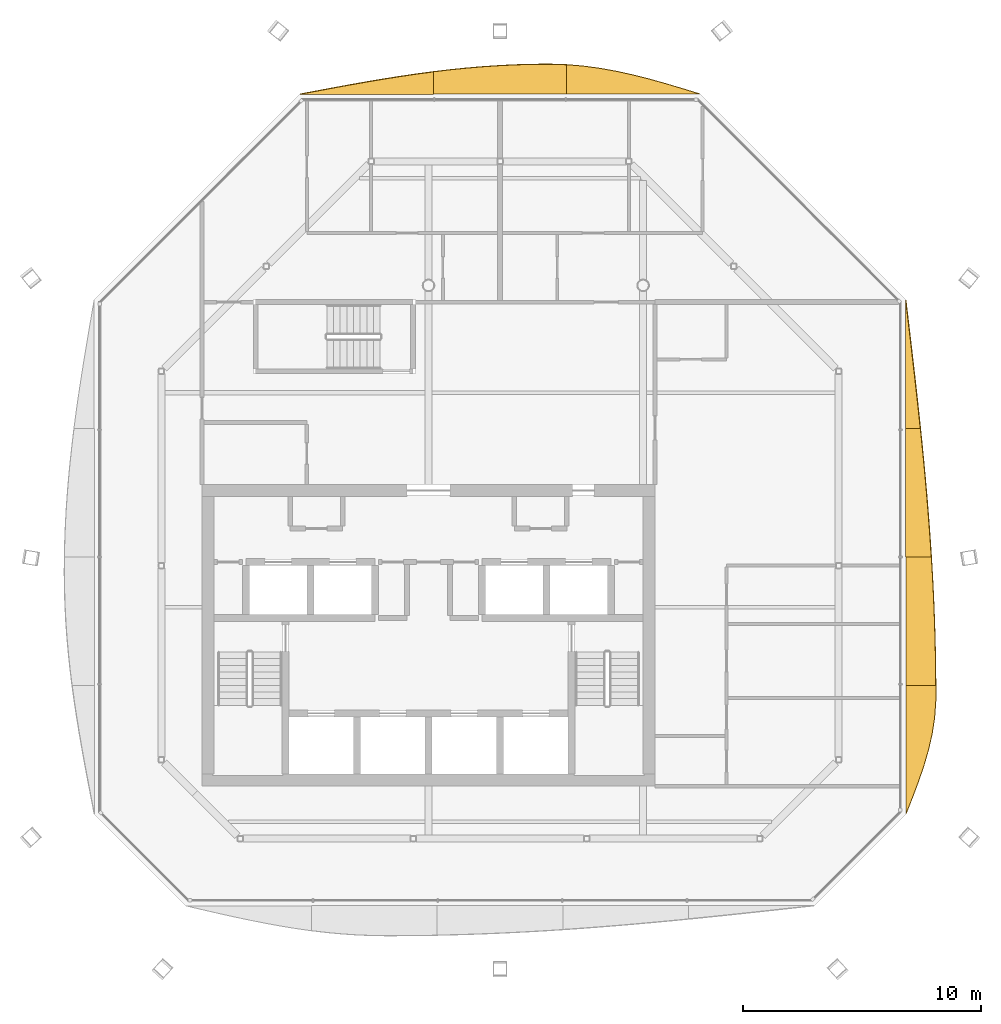
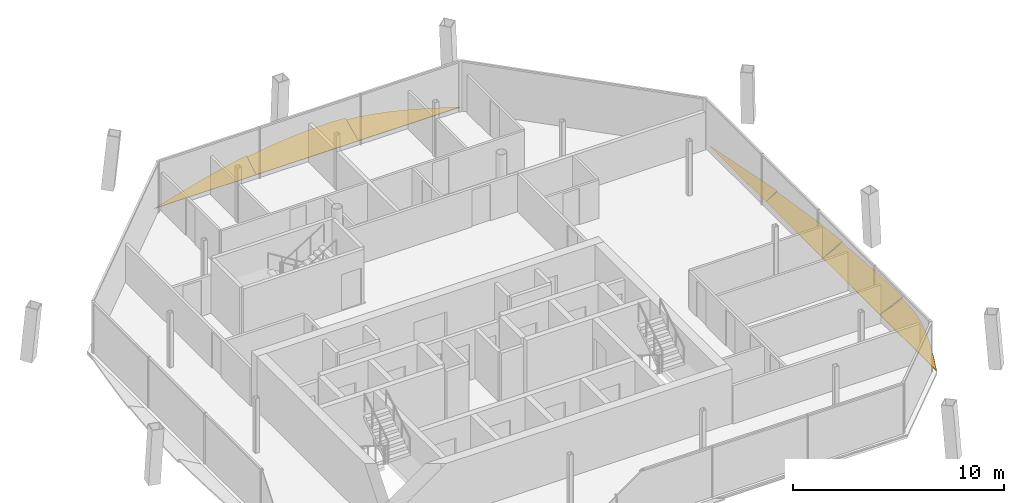
# One storey, part 16 of 16: 7 shading devices.
"""IFC4 building model written with IfcOpenShell, lengths in metres."""

from ifc_helpers import new_model, si_unit, direction, frame, origin, place, context, subcontext, project, spatial, polyline, outline, extrude, material, layer, layer_set, type_object, element, save


model = new_model("IFC4")

# Units and contexts
model_context = context("Model", 3, precision=1e-05, world=origin(), true_north=direction((0.0, 1.0)))
body_context = subcontext(model_context, "Body", "Model", "MODEL_VIEW")
ifc_project = project(units=[si_unit("LENGTHUNIT", "METRE"), si_unit("AREAUNIT", "SQUARE_METRE"), si_unit("VOLUMEUNIT", "CUBIC_METRE"), si_unit("PLANEANGLEUNIT", "RADIAN"), si_unit("MASSUNIT", "GRAM", prefix="KILO")], contexts=[model_context])

# Site, building, storey
site_placement = place(None, origin())
site = spatial("IfcSite", under=ifc_project, at=site_placement, CompositionType="ELEMENT")
building_placement = place(site_placement, origin())
building = spatial("IfcBuilding", under=site, at=building_placement, Name="Tskaro Facet Tower", CompositionType="ELEMENT")
storey_placement = place(building_placement, frame((0.0, 0.0, 262.64990234375)))
storey = spatial("IfcBuildingStorey", under=building, at=storey_placement, Name="L69", CompositionType="ELEMENT", Elevation=262.64990234375)

# Shading devices
ifc_material = material(Name="Bronze anodised aluminium 6063-T6", Category="aluminium")
ifc_layer = layer(ifc_material, 0.06005859375, Name="Bronze anodised aluminium 6063-T6")
ifc_layer_set = layer_set([ifc_layer], Name="Bronze anodised aluminium 6063-T6")
shading_device_type = type_object("IfcShadingDeviceType", Name="Bronze sun blade (FN1)", PredefinedType="USERDEFINED", material=ifc_layer_set)
shading_device_1_placement = place(storey_placement, frame((20.0224609375, -13.174072265625, 0.056396484375), z_axis=(-0.342055063786, 5.469387e-06, 0.939679910027), x_axis=(1.870831e-06, 0.999999999985, -5.139473e-06)))
element("IfcShadingDevice", 1, at=shading_device_1_placement, inside=storey, type_object=shading_device_type, Name="Fin blade east 1", ObjectType="FIN", PredefinedType="USERDEFINED", context=body_context, shape_type="SweptSolid", body=[
    extrude(outline(polyline([(0.0, 0.0), (5.391357421794361, 1.1416643416880319e-21), (5.39135742193911, -1.3362062638570222), (4.959960936888038, -1.3372909390932883), (4.717529296943999, -1.3333486712628773), (4.043457031576941, -1.2813696669501402), (3.369628906158867, -1.1712376450553013), (2.695800781214432, -1.0078125295709215), (2.021728516018721, -0.7988953466207644), (1.3479003902412785, -0.5536847211424553), (0.6740722653306263, -0.28321459039791885), (0.0, 0.0)])), origin(), (0.0, 0.0, -1.0), 0.06005859375),
])
shading_device_2_placement = place(storey_placement, frame((20.017578125, -7.78271484375, 0.054443359375), z_axis=(-0.422619215366, -4.51002e-07, 0.906307342353), x_axis=(-1.90602e-07, 1.0, 4.08747e-07)))
element("IfcShadingDevice", 2, at=shading_device_2_placement, inside=storey, type_object=shading_device_type, Name="Fin blade east 2", ObjectType="FIN", PredefinedType="USERDEFINED", context=body_context, shape_type="SweptSolid", body=[
    extrude(outline(polyline([(0.0, 0.0), (5.391113281249452, 0.0), (5.391113281226399, -1.1814746823693512), (4.717285156225634, -1.2253826797256493), (4.043457031210885, -1.264158008028479), (3.369384765656943, -1.2979038457972172), (2.69555664066076, -1.3261925695521066), (2.021728515650593, -1.3493486242535275), (1.347656249994718, -1.3668262985000954), (0.673828124996393, -1.3789500372521908), (-2.2640145376705455e-11, -1.385395395549433), (0.0, 0.0)])), origin(), (0.0, 0.0, -1.0), 0.06005859375),
])
shading_device_3_placement = place(storey_placement, frame((20.012939453125, -2.3916015625, 0.052001953125), z_axis=(-0.499975440826, -5.112067e-06, 0.866039582551), x_axis=(-2.555908e-06, 0.999999999987, 4.427252e-06)))
element("IfcShadingDevice", 3, at=shading_device_3_placement, inside=storey, type_object=shading_device_type, Name="Fin blade east 3", ObjectType="FIN", PredefinedType="USERDEFINED", context=body_context, shape_type="SweptSolid", body=[
    extrude(outline(polyline([(0.0, 0.0), (5.391357421804553, 0.0), (5.391357422035633, -0.7084525965885085), (4.717529296801457, -0.7876403759134151), (4.043457031321062, -0.8637699794440885), (3.369628905930699, -0.9361744076573872), (2.695800781086243, -1.0049757248699205), (2.0217285152489546, -1.0695069315585468), (1.3479003907497007, -1.129890092039875), (0.6740722660497416, -1.1854582067907635), (-9.992049149206727e-11, -1.236422711256174), (0.0, 0.0)])), origin(), (0.0, 0.0, -1.0), 0.06005859375),
])
shading_device_4_placement = place(storey_placement, frame((20.008544921875, 2.999755859375, 0.04931640625), z_axis=(-0.573470381164, -4.522368e-06, 0.819226294687), x_axis=(-2.593444e-06, 0.99999999999, 3.704843e-06)))
element("IfcShadingDevice", 4, at=shading_device_4_placement, inside=storey, type_object=shading_device_type, Name="Fin blade east 4", ObjectType="FIN", PredefinedType="USERDEFINED", context=body_context, shape_type="SweptSolid", body=[
    extrude(outline(polyline([(0.0, 0.0), (5.391357421819868, 4.5666573667521275e-21), (4.717285155654723, -0.09766380418654722), (4.04345703074774, -0.195127601953491), (3.369628906564413, -0.29151135920746546), (2.6955566409420753, -0.3868750749507961), (2.0217285154925495, -0.48067872892699826), (1.3479003908571687, -0.5725223082968652), (0.6738281252350956, -0.6619257918062377), (-1.2367562065600102e-10, -0.7488891794551158), (0.0, 0.0)])), origin(), (0.0, 0.0, -1.0), 0.06005859375),
])
shading_device_5_placement = place(storey_placement, frame((11.39111328125, 17.0224609375, 0.056396484375), z_axis=(1.824812e-06, -0.342107863865, 0.939660688482), x_axis=(-0.999999999998, -6.24283e-07, 1.714704e-06)))
element("IfcShadingDevice", 5, at=shading_device_5_placement, inside=storey, type_object=shading_device_type, Name="Fin blade north 1", ObjectType="FIN", PredefinedType="USERDEFINED", context=body_context, shape_type="SweptSolid", body=[
    extrude(outline(polyline([(0.0, 0.0), (5.593994140615687, -5.922871679821101e-22), (5.5939941406376, -1.3123443601511426), (4.894775390569494, -1.2489349832287755), (4.195556640793921, -1.1486898351096784), (3.496337890471598, -1.0142994634747722), (2.7971191405129523, -0.8501025973100576), (2.0979003906863287, -0.6607297394416817), (1.3986816407214626, -0.4515831431668155), (0.6994628905756959, -0.22914974402913066), (0.0, 0.0)])), origin(), (0.0, 0.0, -1.0), 0.06005859375),
])
shading_device_6_placement = place(storey_placement, frame((5.797119140625, 17.017578125, 0.054443359375), z_axis=(-1.0032851e-05, -0.422633479445, 0.906300690694), x_axis=(-0.99999999995, 4.240219e-06, -9.09278e-06)))
element("IfcShadingDevice", 6, at=shading_device_6_placement, inside=storey, type_object=shading_device_type, Name="Fin blade north 2", ObjectType="FIN", PredefinedType="USERDEFINED", context=body_context, shape_type="SweptSolid", body=[
    extrude(outline(polyline([(0.0, 0.0), (5.594238280968447, 0.0), (5.594238281924189, -1.036535527374678), (4.894775391523586, -1.1278470566511032), (4.195556639711374, -1.2065923174867248), (3.4963378894166866, -1.2717979694248496), (2.7971191407890204, -1.322918300829505), (2.0979003907227467, -1.3592895172494652), (1.3986816404025733, -1.3805871718658336), (0.7832031253839925, -1.3864868178597114), (0.6994628899779974, -1.3862655530426362), (-2.4516094538272156e-10, -1.3609266521573837), (0.0, 0.0)])), origin(), (0.0, 0.0, -1.0), 0.06005859375),
])
shading_device_7_placement = place(storey_placement, frame((0.202880859375, 17.012939453125, 0.052001953125), z_axis=(2.152768e-06, -0.500072137225, 0.865983751329), x_axis=(-0.999999999998, -1.076539e-06, 1.864262e-06)))
element("IfcShadingDevice", 7, at=shading_device_7_placement, inside=storey, type_object=shading_device_type, Name="Fin blade north 3", ObjectType="FIN", PredefinedType="USERDEFINED", context=body_context, shape_type="SweptSolid", body=[
    extrude(outline(polyline([(0.0, 0.0), (5.593994140612038, -5.922871679821101e-22), (4.894531249733093, -0.15301556541131733), (4.195312499953509, -0.30418491435022305), (3.496093750141856, -0.45196258604875755), (2.7968750000545244, -0.5945916979246715), (2.0976562500953655, -0.7307709650582606), (1.3984375000207725, -0.8587435048672754), (0.69921874997177, -0.9774194542463011), (-3.242217176417868e-11, -1.0848305087987988), (0.0, 0.0)])), origin(), (0.0, 0.0, -1.0), 0.06005859375),
])

save(model, "model.ifc")
